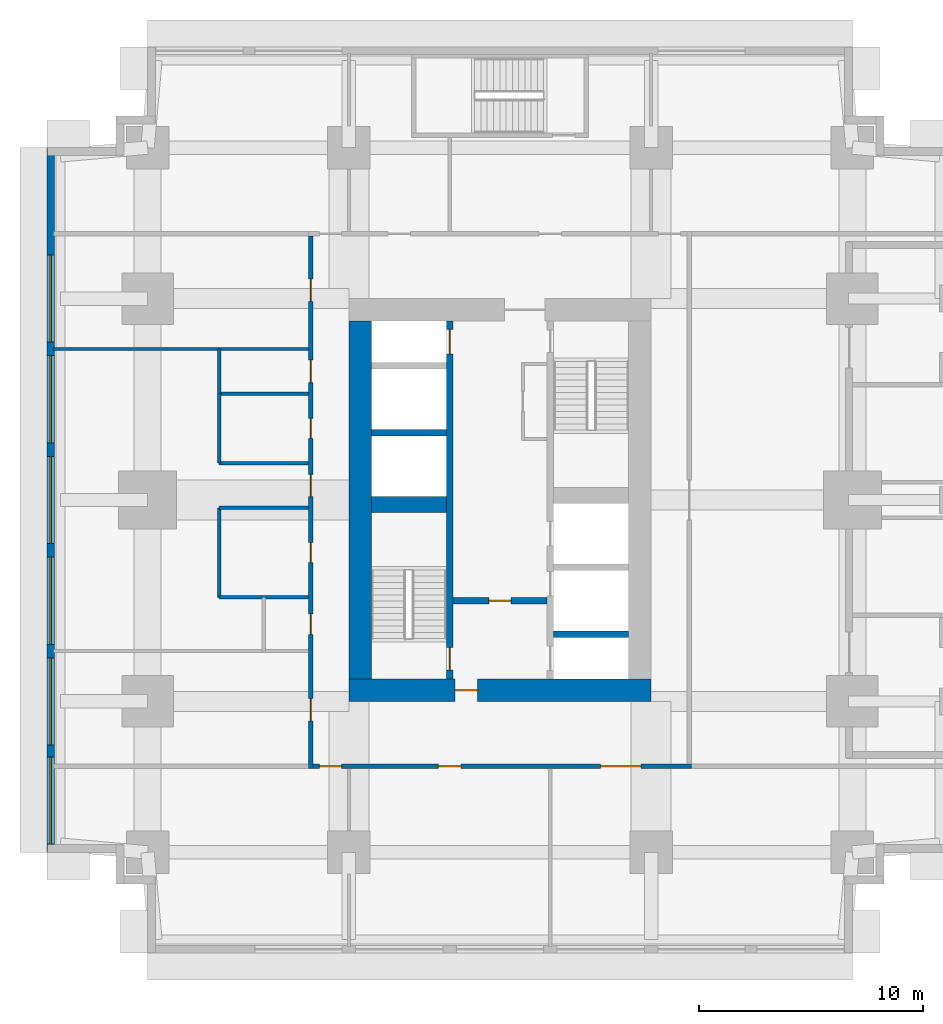
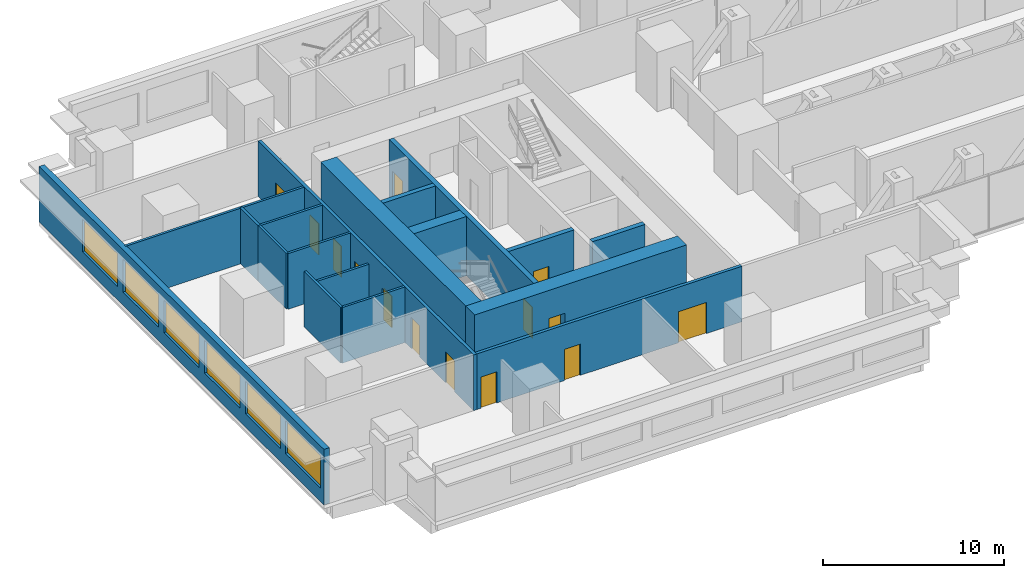
# One storey, part 7 of 15: 18 walls, 14 doors, 6 windows, 20 openings.
"""IFC4 building model written with IfcOpenShell, lengths in metres."""

from ifc_helpers import new_model, si_unit, direction, frame, frame_2d, origin, place, context, subcontext, project, spatial, rectangle, extrude, material, layer, layer_set, type_object, element, fill, save


model = new_model("IFC4")

# Units and contexts
model_context = context("Model", 3, precision=1e-05, world=origin(), true_north=direction((0.0, 1.0)))
body_context = subcontext(model_context, "Body", "Model", "MODEL_VIEW")
ifc_project = project(units=[si_unit("LENGTHUNIT", "METRE"), si_unit("AREAUNIT", "SQUARE_METRE"), si_unit("VOLUMEUNIT", "CUBIC_METRE"), si_unit("PLANEANGLEUNIT", "RADIAN"), si_unit("MASSUNIT", "GRAM", prefix="KILO")], contexts=[model_context])

# Site, building, storey
site_placement = place(None, origin())
site = spatial("IfcSite", under=ifc_project, at=site_placement, CompositionType="ELEMENT")
building_placement = place(site_placement, origin())
building = spatial("IfcBuilding", under=site, at=building_placement, Name="Namib Vertical Campus", CompositionType="ELEMENT")
storey_placement = place(building_placement, frame((0.0, 0.0, 109.0)))
storey = spatial("IfcBuildingStorey", under=building, at=storey_placement, Name="L25", CompositionType="ELEMENT", Elevation=109.0)

# Wall, openings, doors
ifc_material_1 = material(Name="Concrete C60/75", Category="concrete")
ifc_layer_1 = layer(ifc_material_1, 0.300048828125)
ifc_layer_set_1 = layer_set([ifc_layer_1], Name="Concrete C60/75")
wall_type_1 = type_object("IfcWallType", Name="Core inner wall 300", PredefinedType="SHEAR", material=ifc_layer_set_1)
wall_1_placement = place(storey_placement, frame((18.0, 12.25, 0.0), z_axis=(0.0, 0.0, 1.0), x_axis=(0.0, 1.0, 0.0)))
wall_1 = element("IfcWall", 1, at=wall_1_placement, inside=storey, type_object=wall_type_1, Name="Core inner wall A L25 W1", PredefinedType="SHEAR", context=body_context, shape_type="SweptSolid", body=[
    extrude(rectangle(XDim=16.0, YDim=0.300048828125, at=frame_2d((8.0, 0.0))), origin(), (0.0, 0.0, 1.0), 4.0),
])
opening_1_placement = place(wall_1_placement, frame((0.39990234375, 0.0, 0.0)))
opening_1 = element("IfcOpeningElement", 2, at=opening_1_placement, cuts=wall_1, Name="Opening FD1", PredefinedType="OPENING", context=body_context, shape_type="SweptSolid", body=[
    extrude(rectangle(XDim=1.0, YDim=2.10009765625, at=frame_2d((0.5, 1.050048828125))), frame((0.0, 0.159912109375, 0.0), z_axis=(0.0, -1.0, 0.0), x_axis=(1.0, 0.0, 0.0)), (0.0, 0.0, 1.0), 0.320068359375),
])
opening_2_placement = place(wall_1_placement, frame((14.52490234375, 0.0, 0.0)))
opening_2 = element("IfcOpeningElement", 3, at=opening_2_placement, cuts=wall_1, Name="Opening LD1", PredefinedType="OPENING", context=body_context, shape_type="SweptSolid", body=[
    extrude(rectangle(XDim=1.10009765625, YDim=2.10009765625, at=frame_2d((0.550048828125, 1.050048828125))), frame((0.0, 0.159912109375, 0.0), z_axis=(0.0, -1.0, 0.0), x_axis=(1.0, 0.0, 0.0)), (0.0, 0.0, 1.0), 0.320068359375),
])
ifc_material_2 = material(Name="Steel fire door", Category="steel")
door_type_1 = type_object("IfcDoorType", Name="Fire door 1000x2100", OperationType="SINGLE_SWING_RIGHT", PredefinedType="DOOR", material=ifc_material_2)
door_1_placement = place(opening_1_placement, origin())
door_1 = element("IfcDoor", 4, at=door_1_placement, inside=storey, type_object=door_type_1, Name="Stair door FD1 A L25 S1", OperationType="SINGLE_SWING_LEFT", OverallHeight=2.10009765625, OverallWidth=1.0, PredefinedType="DOOR", context=body_context, shape_type="SweptSolid", body=[
    extrude(rectangle(XDim=1.0, YDim=2.10009765625, at=frame_2d((0.5, 1.050048828125))), frame((0.0, 0.02490234375, 0.0), z_axis=(0.0, -1.0, 0.0), x_axis=(1.0, 0.0, 0.0)), (0.0, 0.0, 1.0), 0.050048828125),
])
fill(opening_1, door_1)
ifc_material_3 = material(Name="Stainless steel lift door", Category="steel")
door_type_2 = type_object("IfcDoorType", Name="Lift landing door 1100x2100", OperationType="DOUBLE_DOOR_SLIDING", PredefinedType="DOOR", material=ifc_material_3)
door_2_placement = place(opening_2_placement, origin())
door_2 = element("IfcDoor", 5, at=door_2_placement, inside=storey, type_object=door_type_2, Name="Lift landing door LD1 A-P3 L25", OperationType="DOUBLE_DOOR_SLIDING", OverallHeight=2.10009765625, OverallWidth=1.10009765625, PredefinedType="DOOR", context=body_context, shape_type="SweptSolid", body=[
    extrude(rectangle(XDim=1.10009765625, YDim=2.10009765625, at=frame_2d((0.550048828125, 1.050048828125))), frame((0.0, 0.02490234375, 0.0), z_axis=(0.0, -1.0, 0.0), x_axis=(1.0, 0.0, 0.0)), (0.0, 0.0, 1.0), 0.050048828125),
])
fill(opening_2, door_2)

# Wall, opening, door
wall_2_placement = place(storey_placement, frame((18.14990234375, 15.75, 0.0), z_axis=(0.0, 0.0, 1.0), x_axis=(1.0, 0.0, 0.0)))
wall_2 = element("IfcWall", 6, at=wall_2_placement, inside=storey, type_object=wall_type_1, Name="Core inner wall A L25 W4", PredefinedType="SHEAR", context=body_context, shape_type="SweptSolid", body=[
    extrude(rectangle(XDim=4.2001953125, YDim=0.300048828125, at=frame_2d((2.10009765625, 0.0))), origin(), (0.0, 0.0, 1.0), 4.0),
])
opening_3_placement = place(wall_2_placement, frame((1.60009765625, 0.0, 0.0)))
opening_3 = element("IfcOpeningElement", 7, at=opening_3_placement, cuts=wall_2, Name="Opening FD5", PredefinedType="OPENING", context=body_context, shape_type="SweptSolid", body=[
    extrude(rectangle(XDim=1.0, YDim=2.10009765625, at=frame_2d((0.5, 1.050048828125))), frame((0.0, 0.159912109375, 0.0), z_axis=(0.0, -1.0, 0.0), x_axis=(1.0, 0.0, 0.0)), (0.0, 0.0, 1.0), 0.320068359375),
])
ifc_material_4 = material(Name="Steel fire door", Category="steel")
door_type_3 = type_object("IfcDoorType", Name="Fire door 1000x2100 120 min", OperationType="SINGLE_SWING_RIGHT", PredefinedType="DOOR", material=ifc_material_4)
door_3_placement = place(opening_3_placement, frame((1.0, 0.0, 0.0), z_axis=(0.0, 0.0, 1.0), x_axis=(-1.0, 0.0, 0.0)))
door_3 = element("IfcDoor", 8, at=door_3_placement, inside=storey, type_object=door_type_3, Name="Lobby door FD5 A L25", OperationType="SINGLE_SWING_RIGHT", OverallHeight=2.10009765625, OverallWidth=1.0, PredefinedType="DOOR", context=body_context, shape_type="SweptSolid", body=[
    extrude(rectangle(XDim=1.0, YDim=2.10009765625, at=frame_2d((0.5, 1.050048828125))), frame((0.0, 0.02490234375, 0.0), z_axis=(0.0, -1.0, 0.0), x_axis=(1.0, 0.0, 0.0)), (0.0, 0.0, 1.0), 0.050048828125),
])
fill(opening_3, door_3)

# Walls
for number, where, z_axis, x_axis, name in (
    (9, (22.64990234375, 14.25, 0.0), (0.0, 0.0, 1.0), (1.0, 0.0, 0.0), "Core inner wall A L25 W5"),
    (10, (14.5, 23.25, 0.0), (0.0, 0.0, 1.0), (1.0, 0.0, 0.0), "Core inner wall A L25 W8"),
):
    element("IfcWall", number, at=place(storey_placement, frame(where, z_axis=z_axis, x_axis=x_axis)), inside=storey, type_object=wall_type_1, Name=name, PredefinedType="SHEAR", context=body_context, shape_type="SweptSolid", body=[
        extrude(rectangle(XDim=3.35009765625, YDim=0.300048828125, at=frame_2d((1.675048828125, 0.0))), origin(), (0.0, 0.0, 1.0), 4.0),
    ])
ifc_material_5 = material(Name="Concrete C60/75", Category="concrete")
ifc_layer_2 = layer(ifc_material_5, 0.699951171875)
ifc_layer_set_2 = layer_set([ifc_layer_2], Name="Concrete C60/75")
wall_type_2 = type_object("IfcWallType", Name="Core shear wall 700", PredefinedType="SHEAR", material=ifc_layer_set_2)
wall_3_placement = place(storey_placement, frame((14.5, 20.050048828125, 0.0), z_axis=(0.0, 0.0, 1.0), x_axis=(1.0, 0.0, 0.0)))
element("IfcWall", 11, at=wall_3_placement, inside=storey, type_object=wall_type_2, Name="Core shear wall A L25 W3", PredefinedType="SHEAR", context=body_context, shape_type="SweptSolid", body=[
    extrude(rectangle(XDim=3.35009765625, YDim=0.699951171875, at=frame_2d((1.675048828125, 0.0))), origin(), (0.0, 0.0, 1.0), 4.0),
])

# Wall, opening, door
ifc_material_6 = material(Name="Concrete C60/75", Category="concrete")
ifc_layer_3 = layer(ifc_material_6, 1.0)
ifc_layer_set_3 = layer_set([ifc_layer_3], Name="Concrete C60/75")
wall_type_3 = type_object("IfcWallType", Name="Core wall 1000", PredefinedType="SHEAR", material=ifc_layer_set_3)
wall_4_placement = place(storey_placement, frame((13.5, 11.75, 0.0), z_axis=(0.0, 0.0, 1.0), x_axis=(1.0, 0.0, 0.0)))
wall_4 = element("IfcWall", 12, at=wall_4_placement, inside=storey, type_object=wall_type_3, Name="Core wall A L25 1", PredefinedType="SHEAR", context=body_context, shape_type="SweptSolid", body=[
    extrude(rectangle(XDim=13.5, YDim=1.0, at=frame_2d((6.75, 0.0))), origin(), (0.0, 0.0, 1.0), 4.0),
])
opening_4_placement = place(wall_4_placement, frame((4.75, 0.0, 0.0)))
opening_4 = element("IfcOpeningElement", 13, at=opening_4_placement, cuts=wall_4, Name="Opening FD5", PredefinedType="OPENING", context=body_context, shape_type="SweptSolid", body=[
    extrude(rectangle(XDim=1.0, YDim=2.10009765625, at=frame_2d((0.5, 1.050048828125))), frame((0.0, 0.510009765625, 0.0), z_axis=(0.0, -1.0, 0.0), x_axis=(1.0, 0.0, 0.0)), (0.0, 0.0, 1.0), 1.02001953125),
])
door_4_placement = place(opening_4_placement, origin())
door_4 = element("IfcDoor", 14, at=door_4_placement, inside=storey, type_object=door_type_3, Name="Firefighting lobby door FD5 A L25", OperationType="SINGLE_SWING_LEFT", OverallHeight=2.10009765625, OverallWidth=1.0, PredefinedType="DOOR", context=body_context, shape_type="SweptSolid", body=[
    extrude(rectangle(XDim=1.0, YDim=2.10009765625, at=frame_2d((0.5, 1.050048828125))), frame((0.0, 0.02490234375, 0.0), z_axis=(0.0, -1.0, 0.0), x_axis=(1.0, 0.0, 0.0)), (0.0, 0.0, 1.0), 0.050048828125),
])
fill(opening_4, door_4)

# Wall
wall_5_placement = place(storey_placement, frame((14.0, 28.25, 0.0), z_axis=(0.0, 0.0, 1.0), x_axis=(0.0, -1.0, 0.0)))
element("IfcWall", 15, at=wall_5_placement, inside=storey, type_object=wall_type_3, Name="Core wall A L25 4", PredefinedType="SHEAR", context=body_context, shape_type="SweptSolid", body=[
    extrude(rectangle(XDim=16.0, YDim=1.0, at=frame_2d((8.0, 0.0))), origin(), (0.0, 0.0, 1.0), 4.0),
])

# Wall, openings, doors
ifc_material_7 = material(Name="Concrete masonry", Category="masonry")
ifc_layer_4 = layer(ifc_material_7, 0.199951171875)
ifc_layer_set_4 = layer_set([ifc_layer_4], Name="Corridor wall 200")
wall_type_4 = type_object("IfcWallType", Name="Corridor wall 200", PredefinedType="SOLIDWALL", material=ifc_layer_set_4)
wall_6_placement = place(storey_placement, frame((11.89990234375, 8.35009765625, 0.0), z_axis=(0.0, 0.0, 1.0), x_axis=(1.0, 0.0, 0.0)))
wall_6 = element("IfcWall", 16, at=wall_6_placement, inside=storey, type_object=wall_type_4, Name="Corridor wall A L25 CS", PredefinedType="SOLIDWALL", context=body_context, shape_type="SweptSolid", body=[
    extrude(rectangle(XDim=16.900146484375, YDim=0.199951171875, at=frame_2d((8.4501953125, 0.0))), origin(), (0.0, 0.0, 1.0), 3.75),
])
opening_5_placement = place(wall_6_placement, frame((0.27490234375, 0.0, 0.0)))
opening_5 = element("IfcOpeningElement", 17, at=opening_5_placement, cuts=wall_6, Name="Opening CD1", PredefinedType="OPENING", context=body_context, shape_type="SweptSolid", body=[
    extrude(rectangle(XDim=1.0, YDim=2.10009765625, at=frame_2d((0.5, 1.050048828125))), frame((0.0, 0.10986328125, 0.0), z_axis=(0.0, -1.0, 0.0), x_axis=(1.0, 0.0, 0.0)), (0.0, 0.0, 1.0), 0.219970703125),
])
opening_6_placement = place(wall_6_placement, frame((5.60009765625, 0.0, 0.0)))
opening_6 = element("IfcOpeningElement", 18, at=opening_6_placement, cuts=wall_6, Name="Opening CD1", PredefinedType="OPENING", context=body_context, shape_type="SweptSolid", body=[
    extrude(rectangle(XDim=1.0, YDim=2.10009765625, at=frame_2d((0.5, 1.050048828125))), frame((0.0, 0.10986328125, 0.0), z_axis=(0.0, -1.0, 0.0), x_axis=(1.0, 0.0, 0.0)), (0.0, 0.0, 1.0), 0.219970703125),
])
opening_7_placement = place(wall_6_placement, frame((12.85009765625, 0.0, 0.0)))
opening_7 = element("IfcOpeningElement", 19, at=opening_7_placement, cuts=wall_6, Name="Opening CD2", PredefinedType="OPENING", context=body_context, shape_type="SweptSolid", body=[
    extrude(rectangle(XDim=1.800048828125, YDim=2.10009765625, at=frame_2d((0.89990234375, 1.050048828125))), frame((0.0, 0.10986328125, 0.0), z_axis=(0.0, -1.0, 0.0), x_axis=(1.0, 0.0, 0.0)), (0.0, 0.0, 1.0), 0.219970703125),
])
ifc_material_8 = material(Name="Timber fire door leaf", Category="wood")
door_type_4 = type_object("IfcDoorType", Name="Corridor door 1000x2100 20 min", OperationType="SINGLE_SWING_LEFT", PredefinedType="DOOR", material=ifc_material_8)
door_5_placement = place(opening_5_placement, frame((1.0, 0.0, 0.0), z_axis=(0.0, 0.0, 1.0), x_axis=(-1.0, 0.0, 0.0)))
door_5 = element("IfcDoor", 20, at=door_5_placement, inside=storey, type_object=door_type_4, Name="Door CD1 A25-01", OperationType="SINGLE_SWING_LEFT", OverallHeight=2.10009765625, OverallWidth=1.0, PredefinedType="DOOR", context=body_context, shape_type="SweptSolid", body=[
    extrude(rectangle(XDim=1.0, YDim=2.10009765625, at=frame_2d((0.5, 1.050048828125))), frame((0.0, 0.02490234375, 0.0), z_axis=(0.0, -1.0, 0.0), x_axis=(1.0, 0.0, 0.0)), (0.0, 0.0, 1.0), 0.050048828125),
])
fill(opening_5, door_5)
door_6_placement = place(opening_6_placement, frame((1.0, 0.0, 0.0), z_axis=(0.0, 0.0, 1.0), x_axis=(-1.0, 0.0, 0.0)))
door_6 = element("IfcDoor", 21, at=door_6_placement, inside=storey, type_object=door_type_4, Name="Door CD1 A25-02", OperationType="SINGLE_SWING_RIGHT", OverallHeight=2.10009765625, OverallWidth=1.0, PredefinedType="DOOR", context=body_context, shape_type="SweptSolid", body=[
    extrude(rectangle(XDim=1.0, YDim=2.10009765625, at=frame_2d((0.5, 1.050048828125))), frame((0.0, 0.02490234375, 0.0), z_axis=(0.0, -1.0, 0.0), x_axis=(1.0, 0.0, 0.0)), (0.0, 0.0, 1.0), 0.050048828125),
])
fill(opening_6, door_6)
ifc_material_9 = material(Name="Timber fire door leaf", Category="wood")
door_type_5 = type_object("IfcDoorType", Name="Corridor door double 1800x2100 20 min", OperationType="DOUBLE_DOOR_SINGLE_SWING", PredefinedType="DOOR", material=ifc_material_9)
door_7_placement = place(opening_7_placement, frame((1.800048828125, 0.0, 0.0), z_axis=(0.0, 0.0, 1.0), x_axis=(-1.0, 0.0, 0.0)))
door_7 = element("IfcDoor", 22, at=door_7_placement, inside=storey, type_object=door_type_5, Name="Door CD2 A25-03", OperationType="DOUBLE_DOOR_SINGLE_SWING", OverallHeight=2.10009765625, OverallWidth=1.800048828125, PredefinedType="DOOR", context=body_context, shape_type="SweptSolid", body=[
    extrude(rectangle(XDim=1.800048828125, YDim=2.10009765625, at=frame_2d((0.89990234375, 1.050048828125))), frame((0.0, 0.02490234375, 0.0), z_axis=(0.0, -1.0, 0.0), x_axis=(1.0, 0.0, 0.0)), (0.0, 0.0, 1.0), 0.050048828125),
])
fill(opening_7, door_7)

wall_7_placement = place(storey_placement, frame((11.800048828125, 32.050048828125, 0.0), z_axis=(0.0, 0.0, 1.0), x_axis=(0.0, -1.0, 0.0)))
wall_7 = element("IfcWall", 23, at=wall_7_placement, inside=storey, type_object=wall_type_4, Name="Corridor wall A L25 CW", PredefinedType="SOLIDWALL", context=body_context, shape_type="SweptSolid", body=[
    extrude(rectangle(XDim=23.800048828125, YDim=0.199951171875, at=frame_2d((11.89990234375, 0.0))), origin(), (0.0, 0.0, 1.0), 3.75),
])
opening_8_placement = place(wall_7_placement, frame((20.675048828125, 0.0, 0.0)))
opening_8 = element("IfcOpeningElement", 24, at=opening_8_placement, cuts=wall_7, Name="Opening CD1", PredefinedType="OPENING", context=body_context, shape_type="SweptSolid", body=[
    extrude(rectangle(XDim=1.0, YDim=2.10009765625, at=frame_2d((0.5, 1.050048828125))), frame((0.0, 0.10986328125, 0.0), z_axis=(0.0, -1.0, 0.0), x_axis=(1.0, 0.0, 0.0)), (0.0, 0.0, 1.0), 0.219970703125),
])
opening_9_placement = place(wall_7_placement, frame((16.89990234375, 0.0, 0.0)))
opening_9 = element("IfcOpeningElement", 25, at=opening_9_placement, cuts=wall_7, Name="Opening CD3", PredefinedType="OPENING", context=body_context, shape_type="SweptSolid", body=[
    extrude(rectangle(XDim=0.89990234375, YDim=2.10009765625, at=frame_2d((0.449951171875, 1.050048828125))), frame((0.0, 0.10986328125, 0.0), z_axis=(0.0, -1.0, 0.0), x_axis=(1.0, 0.0, 0.0)), (0.0, 0.0, 1.0), 0.219970703125),
])
opening_10_placement = place(wall_7_placement, frame((13.699951171875, 0.0, 0.0)))
opening_10 = element("IfcOpeningElement", 26, at=opening_10_placement, cuts=wall_7, Name="Opening CD3", PredefinedType="OPENING", context=body_context, shape_type="SweptSolid", body=[
    extrude(rectangle(XDim=0.89990234375, YDim=2.10009765625, at=frame_2d((0.449951171875, 1.050048828125))), frame((0.0, 0.10986328125, 0.0), z_axis=(0.0, -1.0, 0.0), x_axis=(1.0, 0.0, 0.0)), (0.0, 0.0, 1.0), 0.219970703125),
])
opening_11_placement = place(wall_7_placement, frame((8.14990234375, 0.0, 0.0)))
opening_11 = element("IfcOpeningElement", 27, at=opening_11_placement, cuts=wall_7, Name="Opening CD3", PredefinedType="OPENING", context=body_context, shape_type="SweptSolid", body=[
    extrude(rectangle(XDim=0.89990234375, YDim=2.10009765625, at=frame_2d((0.449951171875, 1.050048828125))), frame((0.0, 0.10986328125, 0.0), z_axis=(0.0, -1.0, 0.0), x_axis=(1.0, 0.0, 0.0)), (0.0, 0.0, 1.0), 0.219970703125),
])
opening_12_placement = place(wall_7_placement, frame((5.550048828125, 0.0, 0.0)))
opening_12 = element("IfcOpeningElement", 28, at=opening_12_placement, cuts=wall_7, Name="Opening CD1", PredefinedType="OPENING", context=body_context, shape_type="SweptSolid", body=[
    extrude(rectangle(XDim=1.0, YDim=2.10009765625, at=frame_2d((0.5, 1.050048828125))), frame((0.0, 0.10986328125, 0.0), z_axis=(0.0, -1.0, 0.0), x_axis=(1.0, 0.0, 0.0)), (0.0, 0.0, 1.0), 0.219970703125),
])
opening_13_placement = place(wall_7_placement, frame((10.64990234375, 0.0, 0.0)))
opening_13 = element("IfcOpeningElement", 29, at=opening_13_placement, cuts=wall_7, Name="Opening CD1", PredefinedType="OPENING", context=body_context, shape_type="SweptSolid", body=[
    extrude(rectangle(XDim=1.0, YDim=2.10009765625, at=frame_2d((0.5, 1.050048828125))), frame((0.0, 0.10986328125, 0.0), z_axis=(0.0, -1.0, 0.0), x_axis=(1.0, 0.0, 0.0)), (0.0, 0.0, 1.0), 0.219970703125),
])
opening_14_placement = place(wall_7_placement, frame((1.925048828125, 0.0, 0.0)))
opening_14 = element("IfcOpeningElement", 30, at=opening_14_placement, cuts=wall_7, Name="Opening CD1", PredefinedType="OPENING", context=body_context, shape_type="SweptSolid", body=[
    extrude(rectangle(XDim=1.0, YDim=2.10009765625, at=frame_2d((0.5, 1.050048828125))), frame((0.0, 0.10986328125, 0.0), z_axis=(0.0, -1.0, 0.0), x_axis=(1.0, 0.0, 0.0)), (0.0, 0.0, 1.0), 0.219970703125),
])
door_8_placement = place(opening_8_placement, frame((1.0, 0.0, 0.0), z_axis=(0.0, 0.0, 1.0), x_axis=(-1.0, 0.0, 0.0)))
door_8 = element("IfcDoor", 31, at=door_8_placement, inside=storey, type_object=door_type_4, Name="Door CD1 A25-09", OperationType="SINGLE_SWING_RIGHT", OverallHeight=2.10009765625, OverallWidth=1.0, PredefinedType="DOOR", context=body_context, shape_type="SweptSolid", body=[
    extrude(rectangle(XDim=1.0, YDim=2.10009765625, at=frame_2d((0.5, 1.050048828125))), frame((0.0, 0.02490234375, 0.0), z_axis=(0.0, -1.0, 0.0), x_axis=(1.0, 0.0, 0.0)), (0.0, 0.0, 1.0), 0.050048828125),
])
fill(opening_8, door_8)
door_9_placement = place(opening_12_placement, frame((1.0, 0.0, 0.0), z_axis=(0.0, 0.0, 1.0), x_axis=(-1.0, 0.0, 0.0)))
door_9 = element("IfcDoor", 32, at=door_9_placement, inside=storey, type_object=door_type_4, Name="Door CD1 A25-13", OperationType="SINGLE_SWING_RIGHT", OverallHeight=2.10009765625, OverallWidth=1.0, PredefinedType="DOOR", context=body_context, shape_type="SweptSolid", body=[
    extrude(rectangle(XDim=1.0, YDim=2.10009765625, at=frame_2d((0.5, 1.050048828125))), frame((0.0, 0.02490234375, 0.0), z_axis=(0.0, -1.0, 0.0), x_axis=(1.0, 0.0, 0.0)), (0.0, 0.0, 1.0), 0.050048828125),
])
fill(opening_12, door_9)
door_10_placement = place(opening_13_placement, frame((1.0, 0.0, 0.0), z_axis=(0.0, 0.0, 1.0), x_axis=(-1.0, 0.0, 0.0)))
door_10 = element("IfcDoor", 33, at=door_10_placement, inside=storey, type_object=door_type_4, Name="Door CD1 A25-14", OperationType="SINGLE_SWING_RIGHT", OverallHeight=2.10009765625, OverallWidth=1.0, PredefinedType="DOOR", context=body_context, shape_type="SweptSolid", body=[
    extrude(rectangle(XDim=1.0, YDim=2.10009765625, at=frame_2d((0.5, 1.050048828125))), frame((0.0, 0.02490234375, 0.0), z_axis=(0.0, -1.0, 0.0), x_axis=(1.0, 0.0, 0.0)), (0.0, 0.0, 1.0), 0.050048828125),
])
fill(opening_13, door_10)
door_11_placement = place(opening_14_placement, frame((1.0, 0.0, 0.0), z_axis=(0.0, 0.0, 1.0), x_axis=(-1.0, 0.0, 0.0)))
door_11 = element("IfcDoor", 34, at=door_11_placement, inside=storey, type_object=door_type_4, Name="Door CD1 A25-15", OperationType="SINGLE_SWING_RIGHT", OverallHeight=2.10009765625, OverallWidth=1.0, PredefinedType="DOOR", context=body_context, shape_type="SweptSolid", body=[
    extrude(rectangle(XDim=1.0, YDim=2.10009765625, at=frame_2d((0.5, 1.050048828125))), frame((0.0, 0.02490234375, 0.0), z_axis=(0.0, -1.0, 0.0), x_axis=(1.0, 0.0, 0.0)), (0.0, 0.0, 1.0), 0.050048828125),
])
fill(opening_14, door_11)
ifc_material_10 = material(Name="Timber fire door leaf", Category="wood")
door_type_6 = type_object("IfcDoorType", Name="Corridor toilet door 900x2100 20 min", OperationType="SINGLE_SWING_LEFT", PredefinedType="DOOR", material=ifc_material_10)
door_12_placement = place(opening_9_placement, frame((0.89990234375, 0.0, 0.0), z_axis=(0.0, 0.0, 1.0), x_axis=(-1.0, 0.0, 0.0)))
door_12 = element("IfcDoor", 35, at=door_12_placement, inside=storey, type_object=door_type_6, Name="Door CD3 A25-10", OperationType="SINGLE_SWING_RIGHT", OverallHeight=2.10009765625, OverallWidth=0.89990234375, PredefinedType="DOOR", context=body_context, shape_type="SweptSolid", body=[
    extrude(rectangle(XDim=0.89990234375, YDim=2.10009765625, at=frame_2d((0.449951171875, 1.050048828125))), frame((0.0, 0.02490234375, 0.0), z_axis=(0.0, -1.0, 0.0), x_axis=(1.0, 0.0, 0.0)), (0.0, 0.0, 1.0), 0.050048828125),
])
fill(opening_9, door_12)
door_13_placement = place(opening_10_placement, frame((0.89990234375, 0.0, 0.0), z_axis=(0.0, 0.0, 1.0), x_axis=(-1.0, 0.0, 0.0)))
door_13 = element("IfcDoor", 36, at=door_13_placement, inside=storey, type_object=door_type_6, Name="Door CD3 A25-11", OperationType="SINGLE_SWING_RIGHT", OverallHeight=2.10009765625, OverallWidth=0.89990234375, PredefinedType="DOOR", context=body_context, shape_type="SweptSolid", body=[
    extrude(rectangle(XDim=0.89990234375, YDim=2.10009765625, at=frame_2d((0.449951171875, 1.050048828125))), frame((0.0, 0.02490234375, 0.0), z_axis=(0.0, -1.0, 0.0), x_axis=(1.0, 0.0, 0.0)), (0.0, 0.0, 1.0), 0.050048828125),
])
fill(opening_10, door_13)
door_14_placement = place(opening_11_placement, frame((0.89990234375, 0.0, 0.0), z_axis=(0.0, 0.0, 1.0), x_axis=(-1.0, 0.0, 0.0)))
door_14 = element("IfcDoor", 37, at=door_14_placement, inside=storey, type_object=door_type_6, Name="Door CD3 A25-12", OperationType="SINGLE_SWING_RIGHT", OverallHeight=2.10009765625, OverallWidth=0.89990234375, PredefinedType="DOOR", context=body_context, shape_type="SweptSolid", body=[
    extrude(rectangle(XDim=0.89990234375, YDim=2.10009765625, at=frame_2d((0.449951171875, 1.050048828125))), frame((0.0, 0.02490234375, 0.0), z_axis=(0.0, -1.0, 0.0), x_axis=(1.0, 0.0, 0.0)), (0.0, 0.0, 1.0), 0.050048828125),
])
fill(opening_11, door_14)

# Wall, openings, windows
ifc_material_11 = material(Name="Concrete C40/50", Category="concrete")
ifc_layer_5 = layer(ifc_material_11, 0.35009765625)
ifc_layer_set_5 = layer_set([ifc_layer_5], Name="Concrete C40/50")
wall_type_5 = type_object("IfcWallType", Name="External wall 350 bush-hammered concrete", PredefinedType="STANDARD", material=ifc_layer_set_5)
wall_8_placement = place(storey_placement, frame((0.175048828125, 35.97998046875, 0.0), z_axis=(0.0, 0.0, 1.0), x_axis=(0.0, -1.0, 0.0)))
wall_8 = element("IfcWall", 38, at=wall_8_placement, inside=storey, type_object=wall_type_5, Name="External wall L25 F21", PredefinedType="STANDARD", context=body_context, shape_type="SweptSolid", body=[
    extrude(rectangle(XDim=31.4599609375, YDim=0.35009765625, at=frame_2d((15.72998046875, 0.0))), origin(), (0.0, 0.0, 1.0), 3.75),
])
opening_15_placement = place(wall_8_placement, frame((27.2099609375, 0.0, 0.89990234375)))
opening_15 = element("IfcOpeningElement", 39, at=opening_15_placement, cuts=wall_8, Name="Opening W1", PredefinedType="OPENING", context=body_context, shape_type="SweptSolid", body=[
    extrude(rectangle(XDim=3.89990234375, YDim=2.199951171875, at=frame_2d((1.949951171875, 1.10009765625))), frame((0.0, 0.18505859375, 0.0), z_axis=(0.0, -1.0, 0.0), x_axis=(1.0, 0.0, 0.0)), (0.0, 0.0, 1.0), 0.3701171875),
])
opening_16_placement = place(wall_8_placement, frame((22.780029296875, 0.0, 0.89990234375)))
opening_16 = element("IfcOpeningElement", 40, at=opening_16_placement, cuts=wall_8, Name="Opening W1", PredefinedType="OPENING", context=body_context, shape_type="SweptSolid", body=[
    extrude(rectangle(XDim=3.89990234375, YDim=2.199951171875, at=frame_2d((1.949951171875, 1.10009765625))), frame((0.0, 0.18505859375, 0.0), z_axis=(0.0, -1.0, 0.0), x_axis=(1.0, 0.0, 0.0)), (0.0, 0.0, 1.0), 0.3701171875),
])
opening_17_placement = place(wall_8_placement, frame((18.280029296875, 0.0, 0.89990234375)))
opening_17 = element("IfcOpeningElement", 41, at=opening_17_placement, cuts=wall_8, Name="Opening W1", PredefinedType="OPENING", context=body_context, shape_type="SweptSolid", body=[
    extrude(rectangle(XDim=3.89990234375, YDim=2.199951171875, at=frame_2d((1.949951171875, 1.10009765625))), frame((0.0, 0.18505859375, 0.0), z_axis=(0.0, -1.0, 0.0), x_axis=(1.0, 0.0, 0.0)), (0.0, 0.0, 1.0), 0.3701171875),
])
opening_18_placement = place(wall_8_placement, frame((13.780029296875, 0.0, 0.89990234375)))
opening_18 = element("IfcOpeningElement", 42, at=opening_18_placement, cuts=wall_8, Name="Opening W1", PredefinedType="OPENING", context=body_context, shape_type="SweptSolid", body=[
    extrude(rectangle(XDim=3.89990234375, YDim=2.199951171875, at=frame_2d((1.949951171875, 1.10009765625))), frame((0.0, 0.18505859375, 0.0), z_axis=(0.0, -1.0, 0.0), x_axis=(1.0, 0.0, 0.0)), (0.0, 0.0, 1.0), 0.3701171875),
])
opening_19_placement = place(wall_8_placement, frame((9.280029296875, 0.0, 0.89990234375)))
opening_19 = element("IfcOpeningElement", 43, at=opening_19_placement, cuts=wall_8, Name="Opening W1", PredefinedType="OPENING", context=body_context, shape_type="SweptSolid", body=[
    extrude(rectangle(XDim=3.89990234375, YDim=2.199951171875, at=frame_2d((1.949951171875, 1.10009765625))), frame((0.0, 0.18505859375, 0.0), z_axis=(0.0, -1.0, 0.0), x_axis=(1.0, 0.0, 0.0)), (0.0, 0.0, 1.0), 0.3701171875),
])
opening_20_placement = place(wall_8_placement, frame((4.780029296875, 0.0, 0.89990234375)))
opening_20 = element("IfcOpeningElement", 44, at=opening_20_placement, cuts=wall_8, Name="Opening W1", PredefinedType="OPENING", context=body_context, shape_type="SweptSolid", body=[
    extrude(rectangle(XDim=3.89990234375, YDim=2.199951171875, at=frame_2d((1.949951171875, 1.10009765625))), frame((0.0, 0.18505859375, 0.0), z_axis=(0.0, -1.0, 0.0), x_axis=(1.0, 0.0, 0.0)), (0.0, 0.0, 1.0), 0.3701171875),
])
ifc_material_12 = material(Name="Dark tinted glass in black aluminium frame", Category="aluminium")
window_type = type_object("IfcWindowType", Name="Ribbon window 3900x2200", PartitioningType="SINGLE_PANEL", PredefinedType="WINDOW", material=ifc_material_12)
window_1_placement = place(opening_15_placement, origin())
window_1 = element("IfcWindow", 45, at=window_1_placement, inside=storey, type_object=window_type, Name="Window W1 L25 F21-1", OverallHeight=2.199951171875, OverallWidth=3.89990234375, PartitioningType="SINGLE_PANEL", PredefinedType="WINDOW", context=body_context, shape_type="SweptSolid", body=[
    extrude(rectangle(XDim=3.89990234375, YDim=2.199951171875, at=frame_2d((1.949951171875, 1.10009765625))), frame((0.0, 0.030029296875, 0.0), z_axis=(0.0, -1.0, 0.0), x_axis=(1.0, 0.0, 0.0)), (0.0, 0.0, 1.0), 0.06005859375),
])
fill(opening_15, window_1)
window_2_placement = place(opening_16_placement, origin())
window_2 = element("IfcWindow", 46, at=window_2_placement, inside=storey, type_object=window_type, Name="Window W1 L25 F21-2", OverallHeight=2.199951171875, OverallWidth=3.89990234375, PartitioningType="SINGLE_PANEL", PredefinedType="WINDOW", context=body_context, shape_type="SweptSolid", body=[
    extrude(rectangle(XDim=3.89990234375, YDim=2.199951171875, at=frame_2d((1.949951171875, 1.10009765625))), frame((0.0, 0.030029296875, 0.0), z_axis=(0.0, -1.0, 0.0), x_axis=(1.0, 0.0, 0.0)), (0.0, 0.0, 1.0), 0.06005859375),
])
fill(opening_16, window_2)
window_3_placement = place(opening_17_placement, origin())
window_3 = element("IfcWindow", 47, at=window_3_placement, inside=storey, type_object=window_type, Name="Window W1 L25 F21-3", OverallHeight=2.199951171875, OverallWidth=3.89990234375, PartitioningType="SINGLE_PANEL", PredefinedType="WINDOW", context=body_context, shape_type="SweptSolid", body=[
    extrude(rectangle(XDim=3.89990234375, YDim=2.199951171875, at=frame_2d((1.949951171875, 1.10009765625))), frame((0.0, 0.030029296875, 0.0), z_axis=(0.0, -1.0, 0.0), x_axis=(1.0, 0.0, 0.0)), (0.0, 0.0, 1.0), 0.06005859375),
])
fill(opening_17, window_3)
window_4_placement = place(opening_18_placement, origin())
window_4 = element("IfcWindow", 48, at=window_4_placement, inside=storey, type_object=window_type, Name="Window W1 L25 F21-4", OverallHeight=2.199951171875, OverallWidth=3.89990234375, PartitioningType="SINGLE_PANEL", PredefinedType="WINDOW", context=body_context, shape_type="SweptSolid", body=[
    extrude(rectangle(XDim=3.89990234375, YDim=2.199951171875, at=frame_2d((1.949951171875, 1.10009765625))), frame((0.0, 0.030029296875, 0.0), z_axis=(0.0, -1.0, 0.0), x_axis=(1.0, 0.0, 0.0)), (0.0, 0.0, 1.0), 0.06005859375),
])
fill(opening_18, window_4)
window_5_placement = place(opening_19_placement, origin())
window_5 = element("IfcWindow", 49, at=window_5_placement, inside=storey, type_object=window_type, Name="Window W1 L25 F21-5", OverallHeight=2.199951171875, OverallWidth=3.89990234375, PartitioningType="SINGLE_PANEL", PredefinedType="WINDOW", context=body_context, shape_type="SweptSolid", body=[
    extrude(rectangle(XDim=3.89990234375, YDim=2.199951171875, at=frame_2d((1.949951171875, 1.10009765625))), frame((0.0, 0.030029296875, 0.0), z_axis=(0.0, -1.0, 0.0), x_axis=(1.0, 0.0, 0.0)), (0.0, 0.0, 1.0), 0.06005859375),
])
fill(opening_19, window_5)
window_6_placement = place(opening_20_placement, origin())
window_6 = element("IfcWindow", 50, at=window_6_placement, inside=storey, type_object=window_type, Name="Window W1 L25 F21-6", OverallHeight=2.199951171875, OverallWidth=3.89990234375, PartitioningType="SINGLE_PANEL", PredefinedType="WINDOW", context=body_context, shape_type="SweptSolid", body=[
    extrude(rectangle(XDim=3.89990234375, YDim=2.199951171875, at=frame_2d((1.949951171875, 1.10009765625))), frame((0.0, 0.030029296875, 0.0), z_axis=(0.0, -1.0, 0.0), x_axis=(1.0, 0.0, 0.0)), (0.0, 0.0, 1.0), 0.06005859375),
])
fill(opening_20, window_6)

# Walls
ifc_material_13 = material(Name="Gypsum board on steel studs", Category="steel")
ifc_layer_6 = layer(ifc_material_13, 0.14990234375)
ifc_layer_set_6 = layer_set([ifc_layer_6], Name="Gypsum board on steel studs")
wall_type_6 = type_object("IfcWallType", Name="Partition 150", PredefinedType="PARTITIONING", material=ifc_layer_set_6)
wall_9_placement = place(storey_placement, frame((0.300048828125, 27.0, 0.0), z_axis=(0.0, 0.0, 1.0), x_axis=(1.0, 0.0, 0.0)))
element("IfcWall", 51, at=wall_9_placement, inside=storey, type_object=wall_type_6, Name="Partition A L25 PW2", PredefinedType="PARTITIONING", context=body_context, shape_type="SweptSolid", body=[
    extrude(rectangle(XDim=11.39990234375, YDim=0.14990234375, at=frame_2d((5.699951171875, 0.0))), origin(), (0.0, 0.0, 1.0), 3.75),
])
wall_10_placement = place(storey_placement, frame((11.699951171875, 15.89990234375, 0.0), z_axis=(0.0, 0.0, 1.0), x_axis=(-1.0, 0.0, 0.0)))
element("IfcWall", 52, at=wall_10_placement, inside=storey, type_object=wall_type_6, Name="Partition A L25 WR1", PredefinedType="PARTITIONING", context=body_context, shape_type="SweptSolid", body=[
    extrude(rectangle(XDim=4.0, YDim=0.14990234375, at=frame_2d((2.0, 0.0))), origin(), (0.0, 0.0, 1.0), 3.75),
])
wall_11_placement = place(storey_placement, frame((11.699951171875, 19.89990234375, 0.0), z_axis=(0.0, 0.0, 1.0), x_axis=(-1.0, 0.0, 0.0)))
element("IfcWall", 53, at=wall_11_placement, inside=storey, type_object=wall_type_6, Name="Partition A L25 WR2", PredefinedType="PARTITIONING", context=body_context, shape_type="SweptSolid", body=[
    extrude(rectangle(XDim=4.0, YDim=0.14990234375, at=frame_2d((2.0, 0.0))), origin(), (0.0, 0.0, 1.0), 2.85009765625),
])
for number, where, z_axis, x_axis, name in (
    (54, (11.699951171875, 21.89990234375, 0.0), (0.0, 0.0, 1.0), (-1.0, 0.0, 0.0), "Partition A L25 WR3"),
    (55, (11.699951171875, 25.0, 0.0), (0.0, 0.0, 1.0), (-1.0, 0.0, 0.0), "Partition A L25 WR4"),
    (56, (7.699951171875, 15.89990234375, 0.0), (0.0, 0.0, 1.0), (0.0, 1.0, 0.0), "Partition A L25 WB2"),
):
    element("IfcWall", number, at=place(storey_placement, frame(where, z_axis=z_axis, x_axis=x_axis)), inside=storey, type_object=wall_type_6, Name=name, PredefinedType="PARTITIONING", context=body_context, shape_type="SweptSolid", body=[
        extrude(rectangle(XDim=4.0, YDim=0.14990234375, at=frame_2d((2.0, 0.0))), origin(), (0.0, 0.0, 1.0), 3.75),
    ])
wall_12_placement = place(storey_placement, frame((7.699951171875, 21.89990234375, 0.0), z_axis=(0.0, 0.0, 1.0), x_axis=(0.0, 1.0, 0.0)))
element("IfcWall", 57, at=wall_12_placement, inside=storey, type_object=wall_type_6, Name="Partition A L25 WB3", PredefinedType="PARTITIONING", context=body_context, shape_type="SweptSolid", body=[
    extrude(rectangle(XDim=3.10009765625, YDim=0.14990234375, at=frame_2d((1.550048828125, 0.0))), origin(), (0.0, 0.0, 1.0), 3.75),
])
wall_13_placement = place(storey_placement, frame((7.699951171875, 25.0, 0.0), z_axis=(0.0, 0.0, 1.0), x_axis=(0.0, 1.0, 0.0)))
element("IfcWall", 58, at=wall_13_placement, inside=storey, type_object=wall_type_6, Name="Partition A L25 WB4", PredefinedType="PARTITIONING", context=body_context, shape_type="SweptSolid", body=[
    extrude(rectangle(XDim=2.0, YDim=0.14990234375, at=frame_2d((1.0, 0.0))), origin(), (0.0, 0.0, 1.0), 3.75),
])

save(model, "model.ifc")
